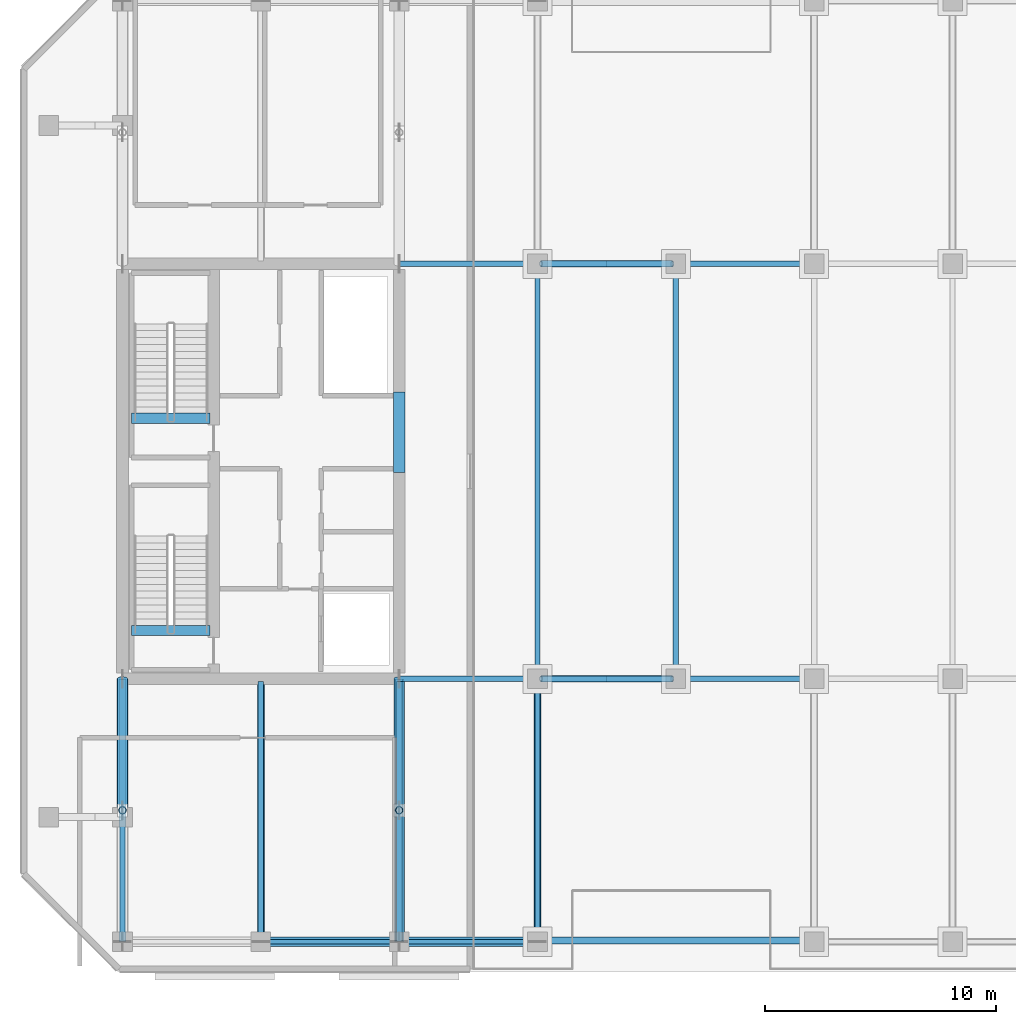
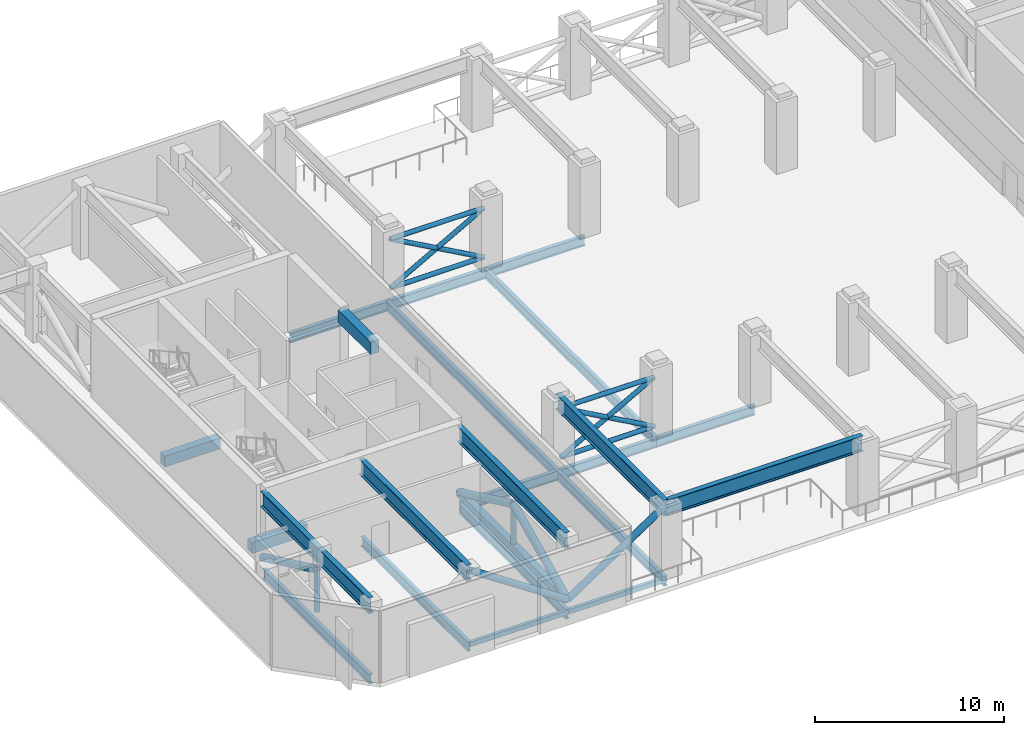
# One storey, part 2 of 18: 22 beams, 16 members.
"""IFC4 building model written with IfcOpenShell, lengths in metres."""

import ifcopenshell
import ifcopenshell.guid

model = None  # the IFC model being written
_history = None  # IfcOwnerHistory: only IFC2X3 demands one
_inside = {}  # id of a spatial element -> (the spatial element, [elements in it])
_under = {}  # id of a project, library or spatial element -> (it, [spatial elements below it])
_declared = {}  # id of a project -> (the project, [libraries it declares])
_typed = {}  # id of a type object -> (the type object, [elements of that type])
_made_of = {}  # id of a material, layer set ... -> (it, [elements and type objects made of it])


def new_model(schema):
    """Start an empty IFC model of exactly this schema.

    Asked for "IFC4X3", IfcOpenShell would pick the latest addendum, in which some entities
    have other attributes; the version numbers below select the first issue.
    IFC2X3 requires an IfcOwnerHistory on every rooted entity: one is made here for all.
    """
    global model, _history
    if schema == "IFC4X3":
        model = ifcopenshell.file(schema_version=(4, 3, 0, 0))
    else:
        model = ifcopenshell.file(schema=schema)
    _inside.clear()
    _under.clear()
    _declared.clear()
    _typed.clear()
    _made_of.clear()
    _history = None
    if model.schema == "IFC2X3":
        org = make("IfcOrganization", Name="unknown")
        user = make(
            "IfcPersonAndOrganization",
            ThePerson=make("IfcPerson", FamilyName="unknown"),
            TheOrganization=org,
        )
        app = make(
            "IfcApplication",
            ApplicationDeveloper=org,
            Version="unknown",
            ApplicationFullName="unknown",
            ApplicationIdentifier="unknown",
        )
        _history = make(
            "IfcOwnerHistory",
            OwningUser=user,
            OwningApplication=app,
            ChangeAction="ADDED",
            CreationDate=0,
        )
    return model


def make(cls, **values):
    """One entity of the class cls with the attributes given. An attribute that is None is left unset."""
    return model.create_entity(
        cls, **{name: value for name, value in values.items() if value is not None}
    )


def rooted(cls, **values):
    """An entity with a GlobalId (a new one), such as an element, a storey or a relation."""
    return make(cls, GlobalId=ifcopenshell.guid.new(), OwnerHistory=_history, **values)


def si_unit(unit_type, name, prefix=None):
    """IfcSIUnit, for example si_unit("LENGTHUNIT", "METRE", prefix="MILLI")."""
    return make("IfcSIUnit", UnitType=unit_type, Prefix=prefix, Name=name)


def assignment(units):
    """IfcUnitAssignment: the units of a project."""
    return None if units is None else make("IfcUnitAssignment", Units=units)


def point(xyz):
    """IfcCartesianPoint."""
    return None if xyz is None else make("IfcCartesianPoint", Coordinates=xyz)


def direction(xyz):
    """IfcDirection."""
    return None if xyz is None else make("IfcDirection", DirectionRatios=xyz)


def frame(location, z_axis=None, x_axis=None):
    """IfcAxis2Placement3D, a coordinate frame: its origin and axes. An axis left out is left unset."""
    return make(
        "IfcAxis2Placement3D",
        Location=point(location),
        Axis=direction(z_axis),
        RefDirection=direction(x_axis),
    )


def frame_2d(location, x_axis=None):
    """IfcAxis2Placement2D, a coordinate frame in the plane: its origin and x axis."""
    return make(
        "IfcAxis2Placement2D", Location=point(location), RefDirection=direction(x_axis)
    )


def origin():
    """The frame at (0, 0, 0) with its axes left unset."""
    return frame((0.0, 0.0, 0.0))


def origin_2d():
    """The frame at (0, 0) in the plane with its x axis left unset."""
    return frame_2d((0.0, 0.0))


def place(relative_to, where):
    """IfcLocalPlacement: puts the frame where relative to a parent placement (None: the world)."""
    return make(
        "IfcLocalPlacement", PlacementRelTo=relative_to, RelativePlacement=where
    )


def context(
    kind, dimensions, precision=None, world=None, true_north=None, identifier=None
):
    """IfcGeometricRepresentationContext, for example the 3D "Model" context."""
    return make(
        "IfcGeometricRepresentationContext",
        ContextIdentifier=identifier,
        ContextType=kind,
        CoordinateSpaceDimension=dimensions,
        Precision=precision,
        WorldCoordinateSystem=world,
        TrueNorth=true_north,
    )


def subcontext(parent, identifier, kind, view, scale=None):
    """IfcGeometricRepresentationSubContext, for example "Body" below "Model"."""
    return make(
        "IfcGeometricRepresentationSubContext",
        ContextIdentifier=identifier,
        ContextType=kind,
        ParentContext=parent,
        TargetScale=scale,
        TargetView=view,
    )


def project(units=None, contexts=None):
    """IfcProject with its units and contexts."""
    return rooted(
        "IfcProject",
        Name="project",
        RepresentationContexts=contexts,
        UnitsInContext=assignment(units),
    )


def spatial(cls, under=None, at=None, **own):
    """A site, building, storey or space (cls), placed at a placement, below another one or the project."""
    s = rooted(cls, ObjectPlacement=at, **own)
    if under is not None:
        _under.setdefault(under.id(), (under, []))[1].append(s)
    return s


def profile(cls, at=None, kind="AREA", **sizes):
    """A parametric profile (cls). Its sizes go by their IFC names, for example OverallWidth=200.0."""
    return make(cls, ProfileType=kind, Position=at, **sizes)


def rectangle(**sizes):
    """IfcRectangleProfileDef."""
    return profile("IfcRectangleProfileDef", **sizes)


def hollow_rectangle(**sizes):
    """IfcRectangleHollowProfileDef."""
    return profile("IfcRectangleHollowProfileDef", **sizes)


def hollow_circle(**sizes):
    """IfcCircleHollowProfileDef."""
    return profile("IfcCircleHollowProfileDef", **sizes)


def i_section(**sizes):
    """IfcIShapeProfileDef."""
    return profile("IfcIShapeProfileDef", **sizes)


def extrude(swept, where, along, depth):
    """IfcExtrudedAreaSolid: the profile swept, set in the frame where, extruded along a direction by depth."""
    return make(
        "IfcExtrudedAreaSolid",
        SweptArea=swept,
        Position=where,
        ExtrudedDirection=direction(along),
        Depth=depth,
    )


def shape(context_of_items, identifier, shape_type, items):
    """IfcShapeRepresentation: the items that make up one representation, for example the "Body"."""
    return make(
        "IfcShapeRepresentation",
        ContextOfItems=context_of_items,
        RepresentationIdentifier=identifier,
        RepresentationType=shape_type,
        Items=items,
    )


def material(Name=None, Category=None):
    """IfcMaterial."""
    return make("IfcMaterial", Name=Name, Category=Category)


def material_profile(
    of_material, cross_section, Name=None, Category=None, Priority=None
):
    """IfcMaterialProfile: a cross section and its material."""
    return make(
        "IfcMaterialProfile",
        Name=Name,
        Material=of_material,
        Profile=cross_section,
        Priority=Priority,
        Category=Category,
    )


def profile_set(profiles, Name=None, composite=None):
    """IfcMaterialProfileSet."""
    return make(
        "IfcMaterialProfileSet",
        Name=Name,
        MaterialProfiles=profiles,
        CompositeProfile=composite,
    )


def made_of(thing, what):
    """Note that an element or type object is made of a material, layer set ...; save() writes the relation."""
    if what is not None:
        _made_of.setdefault(what.id(), (what, []))[1].append(thing)
    return thing


def type_object(cls, material=None, **own):
    """A type object (cls), such as IfcWallType, which elements share."""
    return made_of(rooted(cls, **own), material)


def element(
    cls,
    number,
    at=None,
    inside=None,
    cuts=None,
    type_object=None,
    material=None,
    context=None,
    identifier="Body",
    shape_type=None,
    held_by="IfcProductDefinitionShape",
    body=None,
    shapes=None,
    **own,
):
    """One element of the class cls, such as IfcWall. Its Tag is "e" and its number.

    at: its placement. inside: the storey or other place that contains it. cuts: it is an
    opening in that element (IfcRelVoidsElement). A single representation is given by context,
    identifier, shape_type and body (its items); several are given by shapes. held_by: the class
    of the entity that holds the representations. save() writes the other relations.
    """
    e = rooted(cls, Tag="e%d" % number, ObjectPlacement=at, **own)
    if body is not None:
        shapes = [shape(context, identifier, shape_type, body)]
    if shapes is not None:
        e.Representation = make(held_by, Representations=shapes)
    if inside is not None:
        _inside.setdefault(inside.id(), (inside, []))[1].append(e)
    if cuts is not None:
        rooted(
            "IfcRelVoidsElement", RelatingBuildingElement=cuts, RelatedOpeningElement=e
        )
    if type_object is not None:
        _typed.setdefault(type_object.id(), (type_object, []))[1].append(e)
    return made_of(e, material)


def aggregate(whole, parts):
    """IfcRelAggregates: a whole, such as a stair, and the parts it consists of."""
    return rooted("IfcRelAggregates", RelatingObject=whole, RelatedObjects=parts)


def save(model, path):
    """Write the relations noted so far, then the file.

    IfcRelAggregates (storeys below a building ...), IfcRelContainedInSpatialStructure (elements
    in a storey), IfcRelDefinesByType, IfcRelAssociatesMaterial and IfcRelDeclares: one each for
    every whole, place, type object, material and project.
    """
    for whole, parts in _under.values():
        aggregate(whole, parts)
    for where, things in _inside.values():
        rooted(
            "IfcRelContainedInSpatialStructure",
            RelatedElements=things,
            RelatingStructure=where,
        )
    for kind, things in _typed.values():
        rooted("IfcRelDefinesByType", RelatedObjects=things, RelatingType=kind)
    for what, things in _made_of.values():
        rooted("IfcRelAssociatesMaterial", RelatedObjects=things, RelatingMaterial=what)
    for by, libraries in _declared.values():
        rooted("IfcRelDeclares", RelatingContext=by, RelatedDefinitions=libraries)
    model.write(path)


model = new_model("IFC4")

# Units and contexts
model_context = context("Model", 3, precision=1e-05, world=origin(), true_north=direction((0.0, 1.0)))
body_context = subcontext(model_context, "Body", "Model", "MODEL_VIEW")
ifc_project = project(units=[si_unit("LENGTHUNIT", "METRE"), si_unit("AREAUNIT", "SQUARE_METRE"), si_unit("VOLUMEUNIT", "CUBIC_METRE"), si_unit("PLANEANGLEUNIT", "RADIAN"), si_unit("MASSUNIT", "GRAM", prefix="KILO")], contexts=[model_context])

# Site, building, storey
site_placement = place(None, origin())
site = spatial("IfcSite", under=ifc_project, at=site_placement, CompositionType="ELEMENT")
building_placement = place(site_placement, origin())
building = spatial("IfcBuilding", under=site, at=building_placement, Name="Tanjung Sevakor Pilgrim Tower", CompositionType="ELEMENT")
storey_placement = place(building_placement, frame((0.0, 0.0, 172.919921875)))
storey = spatial("IfcBuildingStorey", under=building, at=storey_placement, Name="L48", CompositionType="ELEMENT", Elevation=172.919921875)

# Beams
ifc_material_1 = material(Name="Steel S355J2", Category="steel")
ifc_material_profile_1 = material_profile(ifc_material_1, i_section(OverallWidth=0.230224609375, OverallDepth=0.6171875, WebThickness=0.01318359375, FlangeThickness=0.022216796875, FilletRadius=0.0126953125, at=origin_2d()))
ifc_profile_set_1 = profile_set([ifc_material_profile_1], Name="Steel S355J2")
beam_type_1 = type_object("IfcBeamType", Name="BM-B-G3-UB_610x229x140", PredefinedType="BEAM", material=ifc_profile_set_1)
for number, where, z_axis, x_axis, name in (
    (1, (36.0, 24.60009765625, -0.588623046875), (1.0, 0.0, 0.0), (0.0, 1.0, 0.0), "L48 Primary Floor Girder MAIN Y246-01"),
    (2, (42.0, 24.60009765625, -0.588623046875), (1.0, 0.0, 0.0), (0.0, 1.0, 0.0), "L48 Primary Floor Girder MAIN Y246-02"),
    (3, (48.0, 24.60009765625, -0.588623046875), (1.0, 0.0, 0.0), (0.0, 1.0, 0.0), "L48 Primary Floor Girder MAIN Y246-03"),
    (4, (36.0, 42.60009765625, -0.588623046875), (1.0, 0.0, 0.0), (0.0, 1.0, 0.0), "L48 Primary Floor Girder MAIN Y426-01"),
    (5, (42.0, 42.60009765625, -0.588623046875), (1.0, 0.0, 0.0), (0.0, 1.0, 0.0), "L48 Primary Floor Girder MAIN Y426-02"),
    (6, (48.0, 42.60009765625, -0.588623046875), (1.0, 0.0, 0.0), (0.0, 1.0, 0.0), "L48 Primary Floor Girder MAIN Y426-03"),
):
    element("IfcBeam", number, at=place(storey_placement, frame(where, z_axis=z_axis, x_axis=x_axis)), inside=storey, type_object=beam_type_1, Name=name, PredefinedType="BEAM", context=body_context, shape_type="SweptSolid", body=[
        extrude(i_section(OverallWidth=0.230224609375, OverallDepth=0.6171875, WebThickness=0.01318359375, FlangeThickness=0.022216796875, FilletRadius=0.0126953125, at=origin_2d()), origin(), (0.0, 0.0, 1.0), 6.0),
    ])
ifc_material_2 = material(Name="Steel S355J2", Category="steel")
ifc_material_profile_2 = material_profile(ifc_material_2, i_section(OverallWidth=0.22900390625, OverallDepth=0.6123046875, WebThickness=0.011962890625, FlangeThickness=0.01953125, FilletRadius=0.0126953125, at=origin_2d()))
ifc_profile_set_2 = profile_set([ifc_material_profile_2], Name="Steel S355J2")
beam_type_2 = type_object("IfcBeamType", Name="BM-B-G4-UB_610x229x125", PredefinedType="BEAM", material=ifc_profile_set_2)
for number, where, z_axis, x_axis, name in (
    (7, (24.0, 13.199951171875, -0.5859375), (0.0, 1.0, 0.0), (-1.0, 0.0, 0.0), "L48 MAIN Girder 001"),
    (8, (30.0, 13.199951171875, -0.5859375), (0.0, 1.0, 0.0), (-1.0, 0.0, 0.0), "L48 MAIN Girder 003"),
    (9, (36.0, 13.199951171875, -0.5859375), (0.0, 1.0, 0.0), (-1.0, 0.0, 0.0), "L48 MAIN Girder 005"),
):
    element("IfcBeam", number, at=place(storey_placement, frame(where, z_axis=z_axis, x_axis=x_axis)), inside=storey, type_object=beam_type_2, Name=name, PredefinedType="BEAM", context=body_context, shape_type="SweptSolid", body=[
        extrude(i_section(OverallWidth=0.22900390625, OverallDepth=0.6123046875, WebThickness=0.011962890625, FlangeThickness=0.01953125, FilletRadius=0.0126953125, at=origin_2d()), origin(), (0.0, 0.0, 1.0), 11.284912109375),
    ])
beam_1_placement = place(storey_placement, frame((42.0, 13.199951171875, -0.5859375), z_axis=(0.0, 1.0, 0.0), x_axis=(-1.0, 0.0, 0.0)))
element("IfcBeam", 10, at=beam_1_placement, inside=storey, type_object=beam_type_2, Name="L48 MAIN Girder 007", PredefinedType="BEAM", context=body_context, shape_type="SweptSolid", body=[
    extrude(i_section(OverallWidth=0.22900390625, OverallDepth=0.6123046875, WebThickness=0.011962890625, FlangeThickness=0.01953125, FilletRadius=0.0126953125, at=origin_2d()), origin(), (0.0, 0.0, 1.0), 11.400146484375),
])
for number, where, z_axis, x_axis, name in (
    (11, (42.0, 24.60009765625, -0.5859375), (0.0, 1.0, 0.0), (-1.0, 0.0, 0.0), "L48 MAIN Girder 008"),
    (12, (48.0, 24.60009765625, -0.5859375), (0.0, 1.0, 0.0), (-1.0, 0.0, 0.0), "L48 MAIN Girder 010"),
):
    element("IfcBeam", number, at=place(storey_placement, frame(where, z_axis=z_axis, x_axis=x_axis)), inside=storey, type_object=beam_type_2, Name=name, PredefinedType="BEAM", context=body_context, shape_type="SweptSolid", body=[
        extrude(i_section(OverallWidth=0.22900390625, OverallDepth=0.6123046875, WebThickness=0.011962890625, FlangeThickness=0.01953125, FilletRadius=0.0126953125, at=origin_2d()), origin(), (0.0, 0.0, 1.0), 18.0),
    ])
ifc_material_3 = material(Name="Steel S460M", Category="steel")
ifc_material_profile_3 = material_profile(ifc_material_3, i_section(OverallWidth=0.302001953125, OverallDepth=1.008056640625, WebThickness=0.02099609375, FlangeThickness=0.0400390625, FilletRadius=0.030029296875, at=origin_2d()))
ifc_profile_set_3 = profile_set([ifc_material_profile_3], Name="Steel S460M")
beam_type_3 = type_object("IfcBeamType", Name="BM-B-G7-HE_1000M", PredefinedType="BEAM", material=ifc_profile_set_3)
beam_2_placement = place(storey_placement, frame((42.0, 13.25, 4.166015625), z_axis=(1.0, 0.0, 0.0), x_axis=(0.0, 1.0, 0.0)))
element("IfcBeam", 13, at=beam_2_placement, inside=storey, type_object=beam_type_3, Name="L48 Setback Ring Transfer Girder S-01", PredefinedType="BEAM", context=body_context, shape_type="SweptSolid", body=[
    extrude(i_section(OverallWidth=0.302001953125, OverallDepth=1.008056640625, WebThickness=0.02099609375, FlangeThickness=0.0400390625, FilletRadius=0.030029296875, at=origin_2d()), origin(), (0.0, 0.0, 1.0), 12.0),
])
for number, where, z_axis, x_axis, name in (
    (14, (24.0, 13.199951171875, 4.166015625), (0.0, 1.0, 0.0), (-1.0, 0.0, 0.0), "L48 Setback Transfer Girder South X24-1"),
    (15, (30.0, 13.199951171875, 4.166015625), (0.0, 1.0, 0.0), (-1.0, 0.0, 0.0), "L48 Setback Transfer Girder South X30-1"),
    (16, (36.0, 13.199951171875, 4.166015625), (0.0, 1.0, 0.0), (-1.0, 0.0, 0.0), "L48 Setback Transfer Girder South X36-1"),
    (17, (42.0, 13.199951171875, 4.166015625), (0.0, 1.0, 0.0), (-1.0, 0.0, 0.0), "L48 Setback Transfer Girder South X42-1"),
):
    element("IfcBeam", number, at=place(storey_placement, frame(where, z_axis=z_axis, x_axis=x_axis)), inside=storey, type_object=beam_type_3, Name=name, PredefinedType="BEAM", context=body_context, shape_type="SweptSolid", body=[
        extrude(i_section(OverallWidth=0.302001953125, OverallDepth=1.008056640625, WebThickness=0.02099609375, FlangeThickness=0.0400390625, FilletRadius=0.030029296875, at=origin_2d()), origin(), (0.0, 0.0, 1.0), 11.400146484375),
    ])
ifc_material_4 = material(Name="Concrete C60/75", Category="concrete")
ifc_material_profile_4 = material_profile(ifc_material_4, rectangle(XDim=0.5, YDim=0.800048828125, at=origin_2d()))
ifc_profile_set_4 = profile_set([ifc_material_profile_4], Name="Concrete C60/75")
beam_type_4 = type_object("IfcBeamType", Name="BM-B-LN2-RC-BM_500x800", PredefinedType="LINTEL", material=ifc_profile_set_4)
beam_3_placement = place(storey_placement, frame((36.0, 33.550048828125, 4.27001953125), z_axis=(0.0, 1.0, 0.0), x_axis=(-1.0, 0.0, 0.0)))
element("IfcBeam", 18, at=beam_3_placement, inside=storey, type_object=beam_type_4, Name="L48 W Core Coupling Lintel", PredefinedType="LINTEL", context=body_context, shape_type="SweptSolid", body=[
    extrude(rectangle(XDim=0.5, YDim=0.800048828125, at=origin_2d()), origin(), (0.0, 0.0, 1.0), 3.5),
])
ifc_material_5 = material(Name="Concrete C60/75", Category="concrete")
ifc_material_profile_5 = material_profile(ifc_material_5, rectangle(XDim=0.449951171875, YDim=0.699951171875, at=origin_2d()))
ifc_profile_set_5 = profile_set([ifc_material_profile_5], Name="Concrete C60/75")
beam_type_5 = type_object("IfcBeamType", Name="BM-B-LN3-RC-BM_450x700", PredefinedType="LINTEL", material=ifc_profile_set_5)
for number, where, z_axis, x_axis, name in (
    (19, (24.39990234375, 26.699951171875, -0.349853515625), (1.0, 0.0, 0.0), (0.0, 1.0, 0.0), "L48 TS-W1 Stair Threshold Beam"),
    (20, (24.39990234375, 35.89990234375, -0.349853515625), (1.0, 0.0, 0.0), (0.0, 1.0, 0.0), "L48 TS-W2 Stair Threshold Beam"),
):
    element("IfcBeam", number, at=place(storey_placement, frame(where, z_axis=z_axis, x_axis=x_axis)), inside=storey, type_object=beam_type_5, Name=name, PredefinedType="LINTEL", context=body_context, shape_type="SweptSolid", body=[
        extrude(rectangle(XDim=0.449951171875, YDim=0.699951171875, at=origin_2d()), origin(), (0.0, 0.0, 1.0), 3.400146484375),
    ])
ifc_material_6 = material(Name="Steel S355J2", Category="steel")
ifc_material_profile_6 = material_profile(ifc_material_6, hollow_rectangle(XDim=0.199951171875, YDim=0.300048828125, WallThickness=0.012451171875, at=origin_2d()))
ifc_profile_set_6 = profile_set([ifc_material_profile_6], Name="Steel S355J2")
beam_type_6 = type_object("IfcBeamType", Name="BM-B-SP3-RHS_300x200x12.5", PredefinedType="SPANDREL", material=ifc_profile_set_6)
for number, where, z_axis, x_axis, name in (
    (21, (30.0, 13.199951171875, -0.429931640625), (1.0, 0.0, 0.0), (0.0, 1.0, 0.0), "L48 Spandrel MAIN S-03"),
    (22, (36.0, 13.199951171875, -0.429931640625), (1.0, 0.0, 0.0), (0.0, 1.0, 0.0), "L48 Spandrel MAIN S-05"),
):
    element("IfcBeam", number, at=place(storey_placement, frame(where, z_axis=z_axis, x_axis=x_axis)), inside=storey, type_object=beam_type_6, Name=name, PredefinedType="SPANDREL", context=body_context, shape_type="SweptSolid", body=[
        extrude(hollow_rectangle(XDim=0.199951171875, YDim=0.300048828125, WallThickness=0.012451171875, at=origin_2d()), origin(), (0.0, 0.0, 1.0), 6.0),
    ])

# Members
ifc_material_7 = material(Name="Steel S460M", Category="steel")
ifc_material_profile_7 = material_profile(ifc_material_7, hollow_circle(Radius=0.228515625, WallThickness=0.02490234375, at=origin_2d()))
ifc_profile_set_7 = profile_set([ifc_material_profile_7], Name="Steel S460M")
member_type_1 = type_object("IfcMemberType", Name="MEM-M-BR4-CHS_457x25", PredefinedType="BRACE", material=ifc_profile_set_7)
member_1_placement = place(storey_placement, frame((24.0, 18.89990234375, 3.0400390625), z_axis=(0.0, 0.904359954693, -0.426770514854), x_axis=(-1.0, 0.0, 0.0)))
element("IfcMember", 23, at=member_1_placement, inside=storey, type_object=member_type_1, Name="OT-2 L48 Outrigger Truss Diagonal 2 X24 S", PredefinedType="BRACE", context=body_context, shape_type="SweptSolid", body=[
    extrude(hollow_circle(Radius=0.228515625, WallThickness=0.02490234375, at=origin_2d()), origin(), (0.0, 0.0, 1.0), 6.302978515625),
])
member_2_placement = place(storey_placement, frame((36.0, 13.199951171875, 0.35009765625), z_axis=(0.0, 0.904352899591, 0.426785464843), x_axis=(-1.0, 0.0, 0.0)))
element("IfcMember", 24, at=member_2_placement, inside=storey, type_object=member_type_1, Name="OT-2 L48 Outrigger Truss Diagonal 1 X36 S", PredefinedType="BRACE", context=body_context, shape_type="SweptSolid", body=[
    extrude(hollow_circle(Radius=0.228515625, WallThickness=0.02490234375, at=origin_2d()), origin(), (0.0, 0.0, 1.0), 6.302734375),
])
member_3_placement = place(storey_placement, frame((36.0, 18.89990234375, 3.0400390625), z_axis=(0.0, 0.904359954693, -0.426770514854), x_axis=(-1.0, 0.0, 0.0)))
element("IfcMember", 25, at=member_3_placement, inside=storey, type_object=member_type_1, Name="OT-2 L48 Outrigger Truss Diagonal 2 X36 S", PredefinedType="BRACE", context=body_context, shape_type="SweptSolid", body=[
    extrude(hollow_circle(Radius=0.228515625, WallThickness=0.02490234375, at=origin_2d()), origin(), (0.0, 0.0, 1.0), 6.302978515625),
])
ifc_material_8 = material(Name="Steel S460M", Category="steel")
ifc_material_profile_8 = material_profile(ifc_material_8, hollow_circle(Radius=0.203125, WallThickness=0.02001953125, at=origin_2d()))
ifc_profile_set_8 = profile_set([ifc_material_profile_8], Name="Steel S460M")
member_type_2 = type_object("IfcMemberType", Name="MEM-M-BR5-CHS_406.4x20", PredefinedType="BRACE", material=ifc_profile_set_8)
for number, where, z_axis, x_axis, name in (
    (26, (30.0, 13.199951171875, 4.336181640625), (0.832940851568, 0.0, -0.553362031395), (0.0, 1.0, 0.0), "BT-1 L48 Belt Truss Diagonal Brace S-02"),
    (27, (36.0, 13.199951171875, 0.35009765625), (0.832940851568, 0.0, 0.553362031395), (0.0, 1.0, 0.0), "BT-1 L48 Belt Truss Diagonal Brace S-03"),
):
    element("IfcMember", number, at=place(storey_placement, frame(where, z_axis=z_axis, x_axis=x_axis)), inside=storey, type_object=member_type_2, Name=name, PredefinedType="BRACE", context=body_context, shape_type="SweptSolid", body=[
        extrude(hollow_circle(Radius=0.203125, WallThickness=0.02001953125, at=origin_2d()), origin(), (0.0, 0.0, 1.0), 7.203369140625),
    ])
ifc_material_9 = material(Name="Steel S460M", Category="steel")
ifc_material_profile_9 = material_profile(ifc_material_9, hollow_rectangle(XDim=0.39990234375, YDim=0.39990234375, WallThickness=0.02001953125, at=origin_2d()))
ifc_profile_set_9 = profile_set([ifc_material_profile_9], Name="Steel S460M")
member_type_3 = type_object("IfcMemberType", Name="MEM-M-CH4-SHS_400x400x20", PredefinedType="CHORD", material=ifc_profile_set_9)
member_4_placement = place(storey_placement, frame((36.0, 13.199951171875, 0.35009765625), z_axis=(0.0, 1.0, 0.0), x_axis=(-1.0, 0.0, 0.0)))
element("IfcMember", 28, at=member_4_placement, inside=storey, type_object=member_type_3, Name="OT-1 L48 Outrigger Truss Chord X36 S", PredefinedType="CHORD", context=body_context, shape_type="SweptSolid", body=[
    extrude(hollow_rectangle(XDim=0.39990234375, YDim=0.39990234375, WallThickness=0.02001953125, at=origin_2d()), origin(), (0.0, 0.0, 1.0), 11.400146484375),
])
ifc_material_10 = material(Name="Steel S460M", Category="steel")
ifc_material_profile_10 = material_profile(ifc_material_10, hollow_circle(Radius=0.161865234375, WallThickness=0.01611328125, at=origin_2d()))
ifc_profile_set_10 = profile_set([ifc_material_profile_10], Name="Steel S460M")
member_type_4 = type_object("IfcMemberType", Name="MEM-M-ST4-CHS_323.9x16", PredefinedType="STRUT", material=ifc_profile_set_10)
for number, where, z_axis, x_axis, name in (
    (29, (24.0, 18.89990234375, 0.35009765625), (0.0, 0.0, 1.0), (1.0, 0.0, 0.0), "OT-3 L48 Outrigger Truss Strut X24 S"),
    (30, (36.0, 18.89990234375, 0.35009765625), (0.0, 0.0, 1.0), (1.0, 0.0, 0.0), "OT-3 L48 Outrigger Truss Strut X36 S"),
):
    element("IfcMember", number, at=place(storey_placement, frame(where, z_axis=z_axis, x_axis=x_axis)), inside=storey, type_object=member_type_4, Name=name, PredefinedType="STRUT", context=body_context, shape_type="SweptSolid", body=[
        extrude(hollow_circle(Radius=0.161865234375, WallThickness=0.01611328125, at=origin_2d()), origin(), (0.0, 0.0, 1.0), 2.68994140625),
    ])
ifc_material_11 = material(Name="Steel S355J2", Category="steel")
ifc_material_profile_11 = material_profile(ifc_material_11, hollow_circle(Radius=0.136474609375, WallThickness=0.012451171875, at=origin_2d()))
ifc_profile_set_11 = profile_set([ifc_material_profile_11], Name="Steel S355J2")
member_type_5 = type_object("IfcMemberType", Name="TYPE-MB-TURBINE", PredefinedType="USERDEFINED", material=ifc_profile_set_11)
for number, where, z_axis, x_axis, name in (
    (31, (42.14990234375, 24.60009765625, 0.4501953125), (1.0, 0.0, 0.0), (0.0, 1.0, 0.0), "L48 Wind Turbine Shroud BOT WTURB-L48-S1"),
    (32, (42.14990234375, 24.60009765625, 3.6201171875), (1.0, 0.0, 0.0), (0.0, 1.0, 0.0), "L48 Wind Turbine Shroud TOP WTURB-L48-S1"),
):
    element("IfcMember", number, at=place(storey_placement, frame(where, z_axis=z_axis, x_axis=x_axis)), inside=storey, type_object=member_type_5, Name=name, ObjectType="TURBINE_FRAME", PredefinedType="USERDEFINED", context=body_context, shape_type="SweptSolid", body=[
        extrude(hollow_circle(Radius=0.136474609375, WallThickness=0.012451171875, at=origin_2d()), origin(), (0.0, 0.0, 1.0), 5.7001953125),
    ])
for number, where, z_axis, x_axis, name in (
    (33, (42.14990234375, 24.60009765625, 0.4501953125), (0.87395238411, 0.0, 0.486011553678), (0.0, 1.0, 0.0), "L48 Wind Turbine Shroud BL1 WTURB-L48-S1"),
    (34, (42.14990234375, 24.60009765625, 3.6201171875), (0.87395238411, 0.0, -0.486011553678), (0.0, 1.0, 0.0), "L48 Wind Turbine Shroud BL2 WTURB-L48-S1"),
):
    element("IfcMember", number, at=place(storey_placement, frame(where, z_axis=z_axis, x_axis=x_axis)), inside=storey, type_object=member_type_5, Name=name, ObjectType="TURBINE_FRAME", PredefinedType="USERDEFINED", context=body_context, shape_type="SweptSolid", body=[
        extrude(hollow_circle(Radius=0.136474609375, WallThickness=0.012451171875, at=origin_2d()), origin(), (0.0, 0.0, 1.0), 6.522216796875),
    ])
for number, where, z_axis, x_axis, name in (
    (35, (42.14990234375, 42.60009765625, 0.4501953125), (1.0, 0.0, 0.0), (0.0, 1.0, 0.0), "L48 Wind Turbine Shroud BOT WTURB-L48-N1"),
    (36, (42.14990234375, 42.60009765625, 3.6201171875), (1.0, 0.0, 0.0), (0.0, 1.0, 0.0), "L48 Wind Turbine Shroud TOP WTURB-L48-N1"),
):
    element("IfcMember", number, at=place(storey_placement, frame(where, z_axis=z_axis, x_axis=x_axis)), inside=storey, type_object=member_type_5, Name=name, ObjectType="TURBINE_FRAME", PredefinedType="USERDEFINED", context=body_context, shape_type="SweptSolid", body=[
        extrude(hollow_circle(Radius=0.136474609375, WallThickness=0.012451171875, at=origin_2d()), origin(), (0.0, 0.0, 1.0), 5.7001953125),
    ])
for number, where, z_axis, x_axis, name in (
    (37, (42.14990234375, 42.60009765625, 0.4501953125), (0.87395238411, 0.0, 0.486011553678), (0.0, 1.0, 0.0), "L48 Wind Turbine Shroud BL1 WTURB-L48-N1"),
    (38, (42.14990234375, 42.60009765625, 3.6201171875), (0.87395238411, 0.0, -0.486011553678), (0.0, 1.0, 0.0), "L48 Wind Turbine Shroud BL2 WTURB-L48-N1"),
):
    element("IfcMember", number, at=place(storey_placement, frame(where, z_axis=z_axis, x_axis=x_axis)), inside=storey, type_object=member_type_5, Name=name, ObjectType="TURBINE_FRAME", PredefinedType="USERDEFINED", context=body_context, shape_type="SweptSolid", body=[
        extrude(hollow_circle(Radius=0.136474609375, WallThickness=0.012451171875, at=origin_2d()), origin(), (0.0, 0.0, 1.0), 6.522216796875),
    ])

save(model, "model.ifc")
